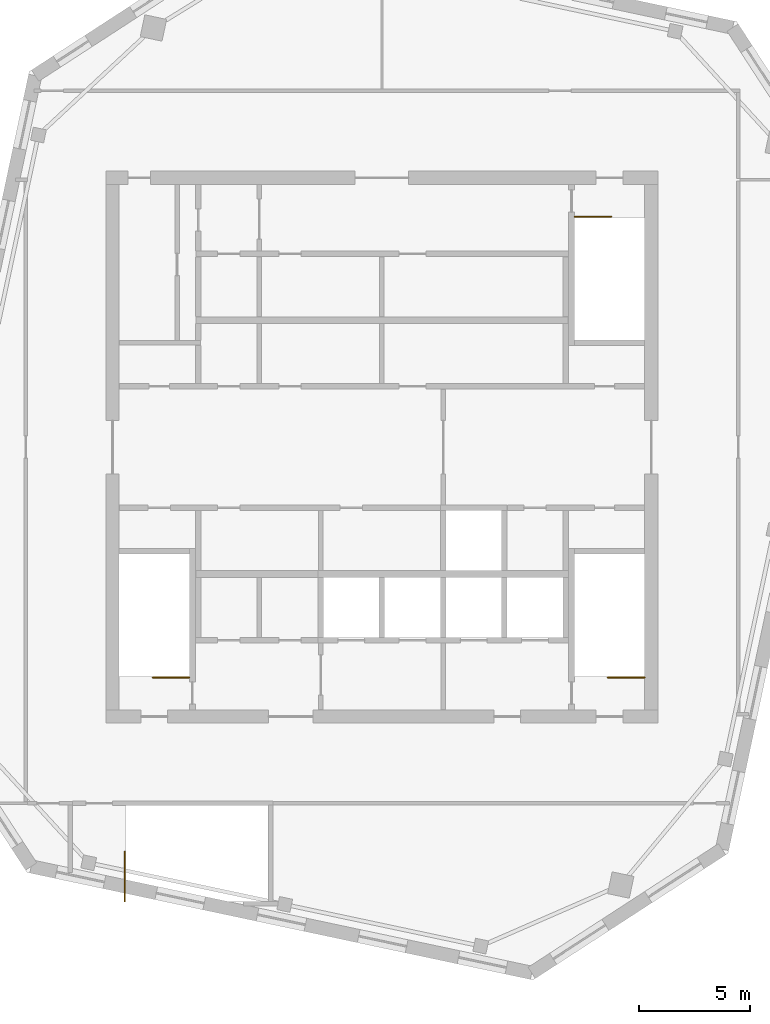
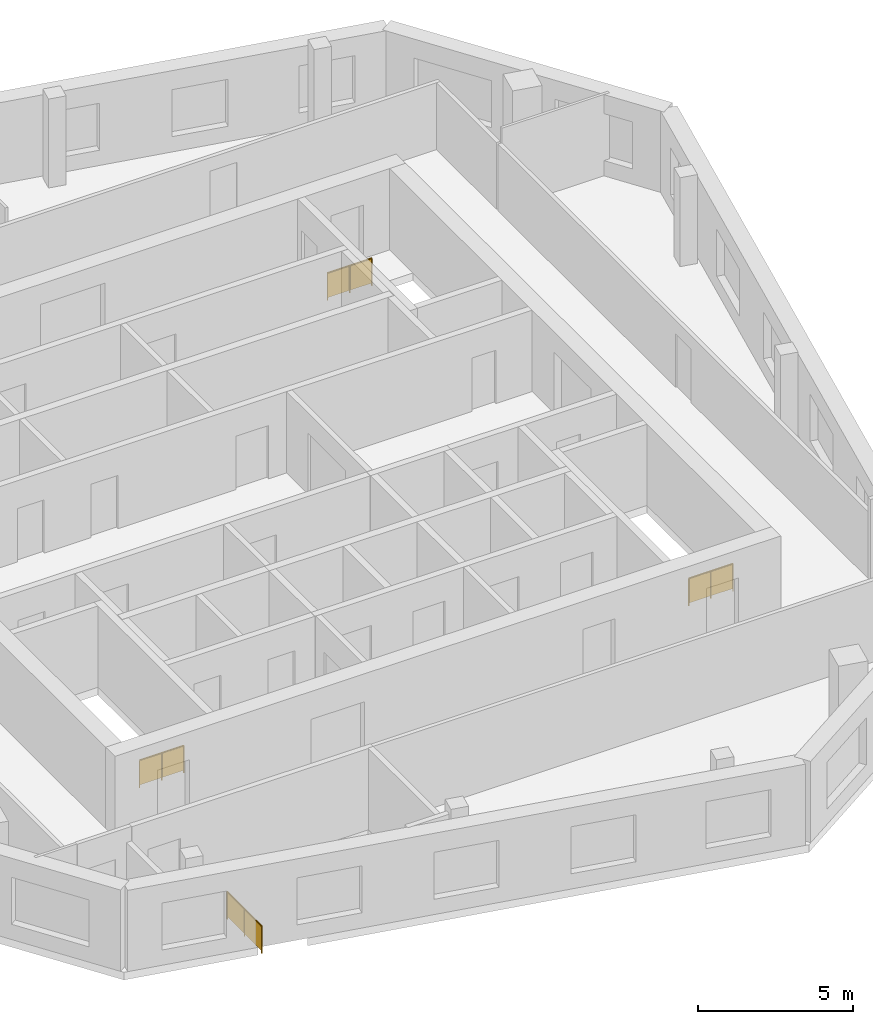
# One storey, part 6 of 6: 4 railings.
"""IFC4 building model written with IfcOpenShell, lengths in metres."""

from ifc_helpers import new_model, si_unit, direction, frame, origin, origin_2d, place, context, subcontext, project, spatial, rectangle, circle, extrude, material, type_object, element, save


model = new_model("IFC4")

# Units and contexts
model_context = context("Model", 3, precision=1e-05, world=origin(), true_north=direction((0.0, 1.0)))
body_context = subcontext(model_context, "Body", "Model", "MODEL_VIEW")
ifc_project = project(units=[si_unit("LENGTHUNIT", "METRE"), si_unit("AREAUNIT", "SQUARE_METRE"), si_unit("VOLUMEUNIT", "CUBIC_METRE"), si_unit("PLANEANGLEUNIT", "RADIAN"), si_unit("MASSUNIT", "GRAM", prefix="KILO")], contexts=[model_context])

# Site, building, storey
site_placement = place(None, origin())
site = spatial("IfcSite", under=ifc_project, at=site_placement, CompositionType="ELEMENT")
building_placement = place(site_placement, origin())
building = spatial("IfcBuilding", under=site, at=building_placement, Name="Dilmun Exchange Tower", CompositionType="ELEMENT")
storey_placement = place(building_placement, frame((0.0, 0.0, 373.10009765625)))
storey = spatial("IfcBuildingStorey", under=building, at=storey_placement, Name="Crown L87", CompositionType="ELEMENT", Elevation=373.10009765625)

# Railings
ifc_material_1 = material(Name="Guard 1100")
railing_type_1 = type_object("IfcRailingType", Name="Guard 1100", PredefinedType="GUARDRAIL", material=ifc_material_1)
railing_1_placement = place(storey_placement, frame((-11.550048828125, -20.39990234375, 0.0)))
element("IfcRailing", 1, at=railing_1_placement, inside=storey, type_object=railing_type_1, Name="Crown L87 CS1 top well guard 1", PredefinedType="GUARDRAIL", context=body_context, shape_type="SweptSolid", body=[
    extrude(circle(Radius=0.02392578125, at=origin_2d()), frame((0.0, 0.0, 1.076171875), z_axis=(0.0, 1.0, 0.0), x_axis=(-1.0, 0.0, 0.0)), (0.0, 0.0, 1.0), 2.223876953125),
    extrude(rectangle(XDim=0.011962890625, YDim=0.951904296875, at=origin_2d()), frame((0.0, 0.0, 0.576171875), z_axis=(0.0, 1.0, 0.0), x_axis=(-1.0, 0.0, 0.0)), (0.0, 0.0, 1.0), 2.223876953125),
    extrude(circle(Radius=0.02099609375, at=origin_2d()), origin(), (0.0, 0.0, 1.0), 1.052001953125),
    extrude(circle(Radius=0.02099609375, at=origin_2d()), frame((0.0, 1.11181640625, 0.0)), (0.0, 0.0, 1.0), 1.052001953125),
    extrude(circle(Radius=0.02099609375, at=origin_2d()), frame((0.0, 2.223876953125, 0.0)), (0.0, 0.0, 1.0), 1.052001953125),
])
ifc_material_2 = material(Name="Stainless steel", Category="steel")
railing_type_2 = type_object("IfcRailingType", Name="Stair guard 1100", PredefinedType="GUARDRAIL", material=ifc_material_2)
railing_2_placement = place(storey_placement, frame((8.64990234375, 10.35009765625, 0.0)))
element("IfcRailing", 2, at=railing_2_placement, inside=storey, type_object=railing_type_2, Name="Crown L87 ST1 top well guard 1", PredefinedType="GUARDRAIL", context=body_context, shape_type="SweptSolid", body=[
    extrude(circle(Radius=0.02392578125, at=origin_2d()), frame((0.0, 0.0, 1.076171875), z_axis=(1.0, 0.0, 0.0), x_axis=(0.0, 1.0, 0.0)), (0.0, 0.0, 1.0), 1.650146484375),
    extrude(rectangle(XDim=0.011962890625, YDim=0.951904296875, at=origin_2d()), frame((0.0, 0.0, 0.576171875), z_axis=(1.0, 0.0, 0.0), x_axis=(0.0, 1.0, 0.0)), (0.0, 0.0, 1.0), 1.650146484375),
    extrude(circle(Radius=0.02099609375, at=origin_2d()), origin(), (0.0, 0.0, 1.0), 1.052001953125),
    extrude(circle(Radius=0.02099609375, at=origin_2d()), frame((0.8251953125, 0.0, 0.0)), (0.0, 0.0, 1.0), 1.052001953125),
    extrude(circle(Radius=0.02099609375, at=origin_2d()), frame((1.650146484375, 0.0, 0.0)), (0.0, 0.0, 1.0), 1.052001953125),
])
for number, where, name in (
    (3, (-8.64990234375, -10.35009765625, 0.0), "Crown L87 ST2 top well guard 1"),
    (4, (11.800048828125, -10.35009765625, 0.0), "Crown L87 ST3 top well guard 1"),
):
    element("IfcRailing", number, at=place(storey_placement, frame(where)), inside=storey, type_object=railing_type_2, Name=name, PredefinedType="GUARDRAIL", context=body_context, shape_type="SweptSolid", body=[
        extrude(circle(Radius=0.02392578125, at=origin_2d()), frame((0.0, 0.0, 1.076171875), z_axis=(-1.0, 0.0, 0.0), x_axis=(0.0, -1.0, 0.0)), (0.0, 0.0, 1.0), 1.650146484375),
        extrude(rectangle(XDim=0.011962890625, YDim=0.951904296875, at=origin_2d()), frame((0.0, 0.0, 0.576171875), z_axis=(-1.0, 0.0, 0.0), x_axis=(0.0, -1.0, 0.0)), (0.0, 0.0, 1.0), 1.650146484375),
        extrude(circle(Radius=0.02099609375, at=origin_2d()), origin(), (0.0, 0.0, 1.0), 1.052001953125),
        extrude(circle(Radius=0.02099609375, at=origin_2d()), frame((-0.8251953125, 0.0, 0.0)), (0.0, 0.0, 1.0), 1.052001953125),
        extrude(circle(Radius=0.02099609375, at=origin_2d()), frame((-1.650146484375, 0.0, 0.0)), (0.0, 0.0, 1.0), 1.052001953125),
    ])

save(model, "model.ifc")
